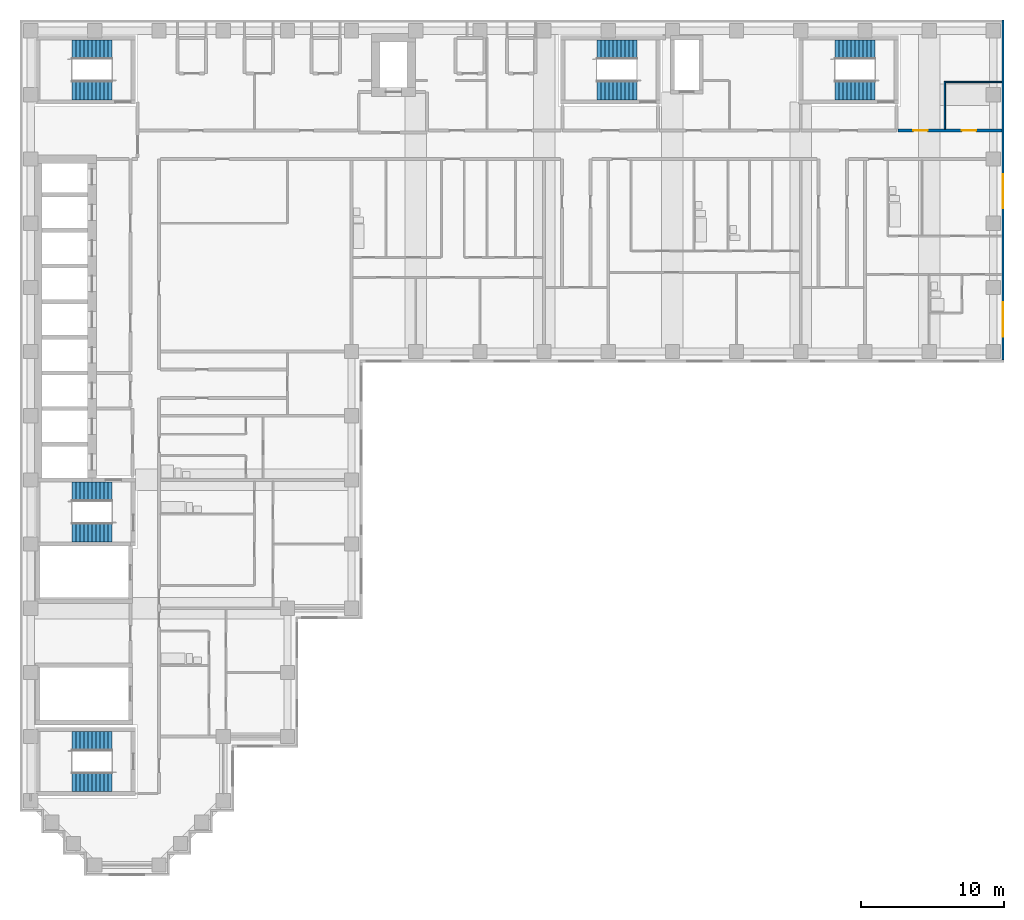
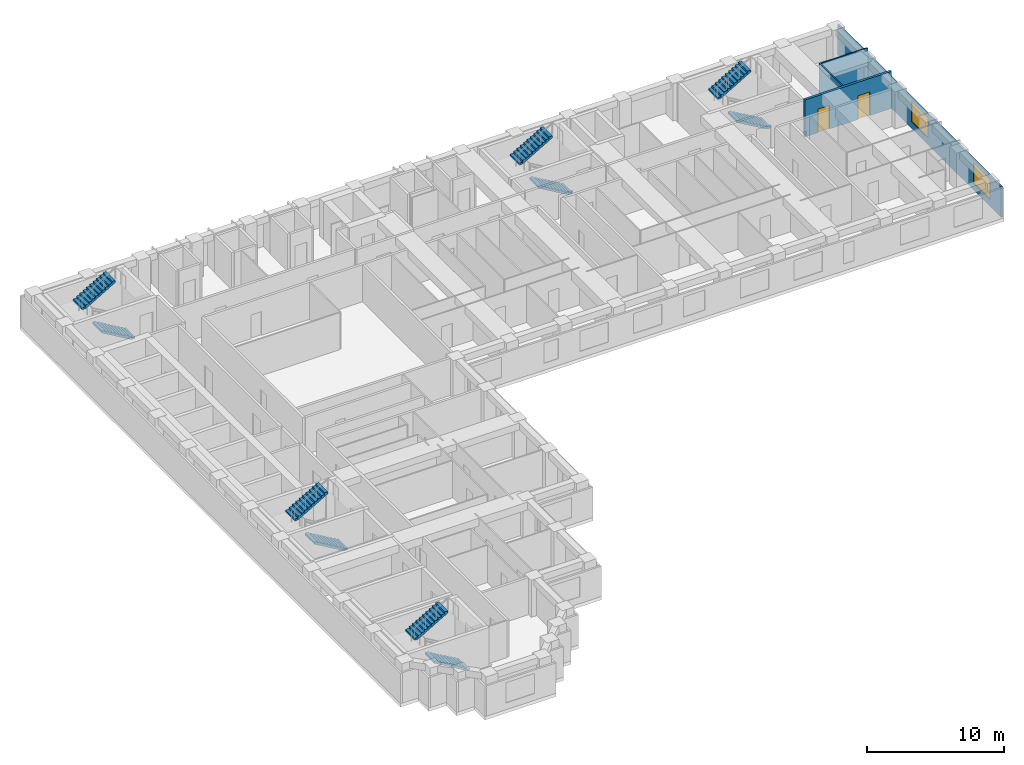
# One storey, part 9 of 11: 10 stair flights, 4 walls, 2 doors, 2 windows, 4 openings, 5 elements without a shape of their own.
"""IFC4 building model written with IfcOpenShell, lengths in metres."""

from ifc_helpers import new_model, si_unit, direction, frame, frame_2d, origin, place, context, subcontext, project, spatial, polyline, rectangle, outline, extrude, material, layer, layer_set, type_object, element, fill, aggregate, save


model = new_model("IFC4")

# Units and contexts
model_context = context("Model", 3, precision=1e-05, world=origin(), true_north=direction((0.0, 1.0)))
body_context = subcontext(model_context, "Body", "Model", "MODEL_VIEW")
ifc_project = project(units=[si_unit("LENGTHUNIT", "METRE"), si_unit("AREAUNIT", "SQUARE_METRE"), si_unit("VOLUMEUNIT", "CUBIC_METRE"), si_unit("PLANEANGLEUNIT", "RADIAN"), si_unit("MASSUNIT", "GRAM", prefix="KILO")], contexts=[model_context])

# Site, building, storey
site_placement = place(None, origin())
site = spatial("IfcSite", under=ifc_project, at=site_placement, CompositionType="ELEMENT")
building_placement = place(site_placement, origin())
building = spatial("IfcBuilding", under=site, at=building_placement, Name="Firuza Court", CompositionType="ELEMENT")
storey_placement = place(building_placement, frame((0.0, 0.0, 130.39990234375)))
storey = spatial("IfcBuildingStorey", under=building, at=storey_placement, Name="L32", CompositionType="ELEMENT", Elevation=130.39990234375)

# Wall, openings, doors
ifc_material_1 = material(Name="Blockwork, plastered both sides", Category="masonry")
ifc_layer_1 = layer(ifc_material_1, 0.199951171875)
ifc_layer_set_1 = layer_set([ifc_layer_1], Name="Blockwork, plastered both sides")
wall_type_1 = type_object("IfcWallType", Name="Corridor wall 200", PredefinedType="PARTITIONING", material=ifc_layer_set_1)
wall_1_placement = place(storey_placement, frame((60.800048828125, 51.5, 0.0), z_axis=(0.0, 0.0, 1.0), x_axis=(1.0, 0.0, 0.0)))
wall_1 = element("IfcWall", 1, at=wall_1_placement, inside=storey, type_object=wall_type_1, Name="Corridor wall 200 L32", PredefinedType="PARTITIONING", context=body_context, shape_type="SweptSolid", body=[
    extrude(rectangle(XDim=7.300048828125, YDim=0.199951171875, at=frame_2d((3.64990234375, 0.0))), origin(), (0.0, 0.0, 1.0), 3.300048828125),
])
opening_1_placement = place(wall_1_placement, frame((1.10009765625, 0.0, 0.0)))
opening_1 = element("IfcOpeningElement", 2, at=opening_1_placement, cuts=wall_1, Name="Opening D32074", PredefinedType="OPENING", context=body_context, shape_type="SweptSolid", body=[
    extrude(rectangle(XDim=1.0, YDim=2.10009765625, at=frame_2d((0.5, 1.050048828125))), frame((0.0, 0.11181640625, 0.0), z_axis=(0.0, -1.0, 0.0), x_axis=(1.0, 0.0, 0.0)), (0.0, 0.0, 1.0), 0.223876953125),
])
opening_2_placement = place(wall_1_placement, frame((4.5, 0.0, 0.0)))
opening_2 = element("IfcOpeningElement", 3, at=opening_2_placement, cuts=wall_1, Name="Opening D32075", PredefinedType="OPENING", context=body_context, shape_type="SweptSolid", body=[
    extrude(rectangle(XDim=1.0, YDim=2.10009765625, at=frame_2d((0.5, 1.050048828125))), frame((0.0, 0.11181640625, 0.0), z_axis=(0.0, -1.0, 0.0), x_axis=(1.0, 0.0, 0.0)), (0.0, 0.0, 1.0), 0.223876953125),
])
ifc_material_2 = material(Name="Timber door leaf in hardwood frame", Category="wood")
door_type = type_object("IfcDoorType", Name="Store door 1000", OperationType="SINGLE_SWING_LEFT", PredefinedType="DOOR", material=ifc_material_2)
door_1_placement = place(opening_1_placement, origin())
door_1 = element("IfcDoor", 4, at=door_1_placement, inside=storey, type_object=door_type, Name="Comms room door", OperationType="SINGLE_SWING_LEFT", OverallHeight=2.10009765625, OverallWidth=1.0, PredefinedType="DOOR", context=body_context, shape_type="SweptSolid", body=[
    extrude(rectangle(XDim=1.0, YDim=2.10009765625, at=frame_2d((0.5, 1.050048828125))), frame((0.0, 0.02490234375, 0.0), z_axis=(0.0, -1.0, 0.0), x_axis=(1.0, 0.0, 0.0)), (0.0, 0.0, 1.0), 0.050048828125),
])
fill(opening_1, door_1)
door_2_placement = place(opening_2_placement, origin())
door_2 = element("IfcDoor", 5, at=door_2_placement, inside=storey, type_object=door_type, Name="Cleaner's store door", OperationType="SINGLE_SWING_LEFT", OverallHeight=2.10009765625, OverallWidth=1.0, PredefinedType="DOOR", context=body_context, shape_type="SweptSolid", body=[
    extrude(rectangle(XDim=1.0, YDim=2.10009765625, at=frame_2d((0.5, 1.050048828125))), frame((0.0, 0.02490234375, 0.0), z_axis=(0.0, -1.0, 0.0), x_axis=(1.0, 0.0, 0.0)), (0.0, 0.0, 1.0), 0.050048828125),
])
fill(opening_2, door_2)

# Walls
ifc_material_3 = material(Name="Timber stud partition, plasterboard both sides", Category="wood")
ifc_layer_2 = layer(ifc_material_3, 0.10009765625)
ifc_layer_set_2 = layer_set([ifc_layer_2], Name="Timber stud partition, plasterboard both sides")
wall_type_2 = type_object("IfcWallType", Name="Partition wall 100", PredefinedType="PARTITIONING", material=ifc_layer_set_2)
wall_2_placement = place(storey_placement, frame((64.10009765625, 51.60009765625, 0.0), z_axis=(0.0, 0.0, 1.0), x_axis=(0.0, 1.0, 0.0)))
element("IfcWall", 6, at=wall_2_placement, inside=storey, type_object=wall_type_2, Name="Partition wall 100 L32", PredefinedType="PARTITIONING", context=body_context, shape_type="SweptSolid", body=[
    extrude(rectangle(XDim=3.349853515625, YDim=0.10009765625, at=frame_2d((1.6748046875, 0.0))), origin(), (0.0, 0.0, 1.0), 3.300048828125),
])
wall_3_placement = place(storey_placement, frame((64.14990234375, 54.89990234375, 0.0), z_axis=(0.0, 0.0, 1.0), x_axis=(1.0, 0.0, 0.0)))
element("IfcWall", 7, at=wall_3_placement, inside=storey, type_object=wall_type_2, Name="Partition wall 100 L32", PredefinedType="PARTITIONING", context=body_context, shape_type="SweptSolid", body=[
    extrude(rectangle(XDim=3.9501953125, YDim=0.10009765625, at=frame_2d((1.97509765625, 0.0))), origin(), (0.0, 0.0, 1.0), 3.300048828125),
])

# Wall, openings, windows
ifc_material_4 = material(Name="Ceramic tile", Category="ceramic")
ifc_layer_3 = layer(ifc_material_4, 0.02001953125)
ifc_material_5 = material(Name="Mineral wool insulation", Category="insulation")
ifc_layer_4 = layer(ifc_material_5, 0.050048828125)
ifc_material_6 = material(Name="Concrete C40/50 precast", Category="concrete")
ifc_layer_5 = layer(ifc_material_6, 0.080078125)
ifc_layer_set_3 = layer_set([ifc_layer_3, ifc_layer_4, ifc_layer_5], Name="Concrete C40/50 precast")
wall_type_3 = type_object("IfcWallType", Name="Precast cladding wall with turquoise TILE PANEL face 150", PredefinedType="STANDARD", material=ifc_layer_set_3)
wall_4_placement = place(storey_placement, frame((68.175048828125, 35.39990234375, 0.0), z_axis=(0.0, 0.0, 1.0), x_axis=(0.0, 1.0, 0.0)))
wall_4 = element("IfcWall", 8, at=wall_4_placement, inside=storey, type_object=wall_type_3, Name="Facade wall L32 E", PredefinedType="STANDARD", context=body_context, shape_type="SweptSolid", body=[
    extrude(rectangle(XDim=23.85009765625, YDim=0.14990234375, at=frame_2d((11.925048828125, 0.0))), origin(), (0.0, 0.0, 1.0), 2.7001953125),
])
opening_3_placement = place(wall_4_placement, frame((1.64990234375, 0.0, 0.60009765625)))
opening_3 = element("IfcOpeningElement", 9, at=opening_3_placement, cuts=wall_4, Name="Opening W1", PredefinedType="OPENING", context=body_context, shape_type="SweptSolid", body=[
    extrude(rectangle(XDim=2.39990234375, YDim=1.800048828125, at=frame_2d((1.199951171875, 0.89990234375))), frame((0.0, 0.0869140625, 0.0), z_axis=(0.0, -1.0, 0.0), x_axis=(1.0, 0.0, 0.0)), (0.0, 0.0, 1.0), 0.173828125),
])
opening_4_placement = place(wall_4_placement, frame((10.64990234375, 0.0, 0.60009765625)))
opening_4 = element("IfcOpeningElement", 10, at=opening_4_placement, cuts=wall_4, Name="Opening W1", PredefinedType="OPENING", context=body_context, shape_type="SweptSolid", body=[
    extrude(rectangle(XDim=2.39990234375, YDim=1.800048828125, at=frame_2d((1.199951171875, 0.89990234375))), frame((0.0, 0.0869140625, 0.0), z_axis=(0.0, -1.0, 0.0), x_axis=(1.0, 0.0, 0.0)), (0.0, 0.0, 1.0), 0.173828125),
])
ifc_material_7 = material(Name="Aluminium frame, triple clear glazing", Category="aluminium")
window_type = type_object("IfcWindowType", Name="Window W1 2400 x 1800", PartitioningType="SINGLE_PANEL", PredefinedType="WINDOW", material=ifc_material_7)
window_1_placement = place(opening_3_placement, origin())
window_1 = element("IfcWindow", 11, at=window_1_placement, inside=storey, type_object=window_type, Name="Window L32", OverallHeight=1.800048828125, OverallWidth=2.39990234375, PartitioningType="SINGLE_PANEL", PredefinedType="WINDOW", context=body_context, shape_type="SweptSolid", body=[
    extrude(rectangle(XDim=2.39990234375, YDim=1.800048828125, at=frame_2d((1.199951171875, 0.89990234375))), frame((0.0, 0.030029296875, 0.0), z_axis=(0.0, -1.0, 0.0), x_axis=(1.0, 0.0, 0.0)), (0.0, 0.0, 1.0), 0.06005859375),
])
fill(opening_3, window_1)
window_2_placement = place(opening_4_placement, origin())
window_2 = element("IfcWindow", 12, at=window_2_placement, inside=storey, type_object=window_type, Name="Window L32", OverallHeight=1.800048828125, OverallWidth=2.39990234375, PartitioningType="SINGLE_PANEL", PredefinedType="WINDOW", context=body_context, shape_type="SweptSolid", body=[
    extrude(rectangle(XDim=2.39990234375, YDim=1.800048828125, at=frame_2d((1.199951171875, 0.89990234375))), frame((0.0, 0.030029296875, 0.0), z_axis=(0.0, -1.0, 0.0), x_axis=(1.0, 0.0, 0.0)), (0.0, 0.0, 1.0), 0.06005859375),
])
fill(opening_4, window_2)

# Stair, stair flights
ifc_material_8 = material(Name="Concrete C40/50 precast", Category="concrete")
stair_type = type_object("IfcStairType", Name="Stair 1350 x 3600 2 flights", PredefinedType="HALF_TURN_STAIR", material=ifc_material_8)
stair_1_placement = place(storey_placement, origin())
stair_1 = element("IfcStair", 13, at=stair_1_placement, inside=storey, type_object=stair_type, Name="Stair 1 L32", PredefinedType="HALF_TURN_STAIR")
ifc_material_9 = material(Name="Concrete C40/50 precast", Category="concrete")
stair_flight_type = type_object("IfcStairFlightType", Name="Flight 1350 riser 163.6", PredefinedType="STRAIGHT", material=ifc_material_9)
stair_flight_1_placement = place(storey_placement, frame((42.5, 54.324951171875, 0.0), z_axis=(0.0, 0.0, 1.0), x_axis=(-1.0, 0.0, 0.0)))
stair_flight_1 = element("IfcStairFlight", 14, at=stair_flight_1_placement, type_object=stair_flight_type, Name="S1 flight 1", NumberOfRisers=11, NumberOfTreads=10, PredefinedType="STRAIGHT", RiserHeight=0.163636364, TreadLength=0.28, context=body_context, shape_type="SweptSolid", body=[
    extrude(outline(polyline([(0.0, 0.0), (0.0, 0.16357421875), (0.280029296875, 0.16357421875), (0.280029296875, 0.327392578125), (0.56005859375, 0.327392578125), (0.56005859375, 0.490966796875), (0.840087890625, 0.490966796875), (0.840087890625, 0.654541015625), (1.1201171875, 0.654541015625), (1.1201171875, 0.818115234375), (1.39990234375, 0.818115234375), (1.39990234375, 0.98193359375), (1.679931640625, 0.98193359375), (1.679931640625, 1.1455078125), (1.9599609375, 1.1455078125), (1.9599609375, 1.30908203125), (2.239990234375, 1.30908203125), (2.239990234375, 1.47265625), (2.52001953125, 1.47265625), (2.52001953125, 1.636474609375), (2.800048828125, 1.636474609375), (2.800048828125, 1.800048828125), (2.800048828125, 1.462646484375), (0.297119140625, 0.0), (0.0, 0.0)])), frame((0.0, 0.675048828125, 0.0), z_axis=(0.0, -1.0, 0.0), x_axis=(1.0, 0.0, 0.0)), (0.0, 0.0, 1.0), 1.35009765625),
])
stair_flight_2_placement = place(storey_placement, frame((39.699951171875, 57.175048828125, 1.800048828125), z_axis=(0.0, 0.0, 1.0), x_axis=(1.0, 0.0, 0.0)))
stair_flight_2 = element("IfcStairFlight", 15, at=stair_flight_2_placement, type_object=stair_flight_type, Name="S1 flight 2", NumberOfRisers=11, NumberOfTreads=10, PredefinedType="STRAIGHT", RiserHeight=0.163636364, TreadLength=0.28, context=body_context, shape_type="SweptSolid", body=[
    extrude(outline(polyline([(0.0, 0.0), (0.0, 0.16357421875), (0.280029296875, 0.16357421875), (0.280029296875, 0.327392578125), (0.56005859375, 0.327392578125), (0.56005859375, 0.490966796875), (0.840087890625, 0.490966796875), (0.840087890625, 0.654541015625), (1.1201171875, 0.654541015625), (1.1201171875, 0.818115234375), (1.39990234375, 0.818115234375), (1.39990234375, 0.98193359375), (1.679931640625, 0.98193359375), (1.679931640625, 1.1455078125), (1.9599609375, 1.1455078125), (1.9599609375, 1.30908203125), (2.239990234375, 1.30908203125), (2.239990234375, 1.47265625), (2.52001953125, 1.47265625), (2.52001953125, 1.636474609375), (2.800048828125, 1.636474609375), (2.800048828125, 1.800048828125), (2.800048828125, 1.462646484375), (0.297119140625, 0.0), (0.0, 0.0)])), frame((0.0, 0.675048828125, 0.0), z_axis=(0.0, -1.0, 0.0), x_axis=(1.0, 0.0, 0.0)), (0.0, 0.0, 1.0), 1.35009765625),
])
aggregate(stair_1, [stair_flight_1, stair_flight_2])

stair_2_placement = place(storey_placement, origin())
stair_2 = element("IfcStair", 16, at=stair_2_placement, inside=storey, type_object=stair_type, Name="Stair 2 L32", PredefinedType="HALF_TURN_STAIR")
stair_flight_3_placement = place(storey_placement, frame((5.699951171875, 23.324951171875, 0.0), z_axis=(0.0, 0.0, 1.0), x_axis=(-1.0, 0.0, 0.0)))
stair_flight_3 = element("IfcStairFlight", 17, at=stair_flight_3_placement, type_object=stair_flight_type, Name="S2 flight 1", NumberOfRisers=11, NumberOfTreads=10, PredefinedType="STRAIGHT", RiserHeight=0.163636364, TreadLength=0.28, context=body_context, shape_type="SweptSolid", body=[
    extrude(outline(polyline([(0.0, 0.0), (0.0, 0.16357421875), (0.280029296875, 0.16357421875), (0.280029296875, 0.327392578125), (0.56005859375, 0.327392578125), (0.56005859375, 0.490966796875), (0.840087890625, 0.490966796875), (0.840087890625, 0.654541015625), (1.1201171875, 0.654541015625), (1.1201171875, 0.818115234375), (1.39990234375, 0.818115234375), (1.39990234375, 0.98193359375), (1.679931640625, 0.98193359375), (1.679931640625, 1.1455078125), (1.9599609375, 1.1455078125), (1.9599609375, 1.30908203125), (2.239990234375, 1.30908203125), (2.239990234375, 1.47265625), (2.52001953125, 1.47265625), (2.52001953125, 1.636474609375), (2.800048828125, 1.636474609375), (2.800048828125, 1.800048828125), (2.800048828125, 1.462646484375), (0.297119140625, 0.0), (0.0, 0.0)])), frame((0.0, 0.675048828125, 0.0), z_axis=(0.0, -1.0, 0.0), x_axis=(1.0, 0.0, 0.0)), (0.0, 0.0, 1.0), 1.35009765625),
])
stair_flight_4_placement = place(storey_placement, frame((2.89990234375, 26.175048828125, 1.800048828125), z_axis=(0.0, 0.0, 1.0), x_axis=(1.0, 0.0, 0.0)))
stair_flight_4 = element("IfcStairFlight", 18, at=stair_flight_4_placement, type_object=stair_flight_type, Name="S2 flight 2", NumberOfRisers=11, NumberOfTreads=10, PredefinedType="STRAIGHT", RiserHeight=0.163636364, TreadLength=0.28, context=body_context, shape_type="SweptSolid", body=[
    extrude(outline(polyline([(0.0, 0.0), (0.0, 0.16357421875), (0.280029296875, 0.16357421875), (0.280029296875, 0.327392578125), (0.56005859375, 0.327392578125), (0.56005859375, 0.490966796875), (0.840087890625, 0.490966796875), (0.840087890625, 0.654541015625), (1.1201171875, 0.654541015625), (1.1201171875, 0.818115234375), (1.39990234375, 0.818115234375), (1.39990234375, 0.98193359375), (1.679931640625, 0.98193359375), (1.679931640625, 1.1455078125), (1.9599609375, 1.1455078125), (1.9599609375, 1.30908203125), (2.239990234375, 1.30908203125), (2.239990234375, 1.47265625), (2.52001953125, 1.47265625), (2.52001953125, 1.636474609375), (2.800048828125, 1.636474609375), (2.800048828125, 1.800048828125), (2.800048828125, 1.462646484375), (0.297119140625, 0.0), (0.0, 0.0)])), frame((0.0, 0.675048828125, 0.0), z_axis=(0.0, -1.0, 0.0), x_axis=(1.0, 0.0, 0.0)), (0.0, 0.0, 1.0), 1.35009765625),
])
aggregate(stair_2, [stair_flight_3, stair_flight_4])

stair_3_placement = place(storey_placement, origin())
stair_3 = element("IfcStair", 19, at=stair_3_placement, inside=storey, type_object=stair_type, Name="Stair 3 L32", PredefinedType="HALF_TURN_STAIR")
stair_flight_5_placement = place(storey_placement, frame((5.699951171875, 54.324951171875, 0.0), z_axis=(0.0, 0.0, 1.0), x_axis=(-1.0, 0.0, 0.0)))
stair_flight_5 = element("IfcStairFlight", 20, at=stair_flight_5_placement, type_object=stair_flight_type, Name="S3 flight 1", NumberOfRisers=11, NumberOfTreads=10, PredefinedType="STRAIGHT", RiserHeight=0.163636364, TreadLength=0.28, context=body_context, shape_type="SweptSolid", body=[
    extrude(outline(polyline([(0.0, 0.0), (0.0, 0.16357421875), (0.280029296875, 0.16357421875), (0.280029296875, 0.327392578125), (0.56005859375, 0.327392578125), (0.56005859375, 0.490966796875), (0.840087890625, 0.490966796875), (0.840087890625, 0.654541015625), (1.1201171875, 0.654541015625), (1.1201171875, 0.818115234375), (1.39990234375, 0.818115234375), (1.39990234375, 0.98193359375), (1.679931640625, 0.98193359375), (1.679931640625, 1.1455078125), (1.9599609375, 1.1455078125), (1.9599609375, 1.30908203125), (2.239990234375, 1.30908203125), (2.239990234375, 1.47265625), (2.52001953125, 1.47265625), (2.52001953125, 1.636474609375), (2.800048828125, 1.636474609375), (2.800048828125, 1.800048828125), (2.800048828125, 1.462646484375), (0.297119140625, 0.0), (0.0, 0.0)])), frame((0.0, 0.675048828125, 0.0), z_axis=(0.0, -1.0, 0.0), x_axis=(1.0, 0.0, 0.0)), (0.0, 0.0, 1.0), 1.35009765625),
])
stair_flight_6_placement = place(storey_placement, frame((2.89990234375, 57.175048828125, 1.800048828125), z_axis=(0.0, 0.0, 1.0), x_axis=(1.0, 0.0, 0.0)))
stair_flight_6 = element("IfcStairFlight", 21, at=stair_flight_6_placement, type_object=stair_flight_type, Name="S3 flight 2", NumberOfRisers=11, NumberOfTreads=10, PredefinedType="STRAIGHT", RiserHeight=0.163636364, TreadLength=0.28, context=body_context, shape_type="SweptSolid", body=[
    extrude(outline(polyline([(0.0, 0.0), (0.0, 0.16357421875), (0.280029296875, 0.16357421875), (0.280029296875, 0.327392578125), (0.56005859375, 0.327392578125), (0.56005859375, 0.490966796875), (0.840087890625, 0.490966796875), (0.840087890625, 0.654541015625), (1.1201171875, 0.654541015625), (1.1201171875, 0.818115234375), (1.39990234375, 0.818115234375), (1.39990234375, 0.98193359375), (1.679931640625, 0.98193359375), (1.679931640625, 1.1455078125), (1.9599609375, 1.1455078125), (1.9599609375, 1.30908203125), (2.239990234375, 1.30908203125), (2.239990234375, 1.47265625), (2.52001953125, 1.47265625), (2.52001953125, 1.636474609375), (2.800048828125, 1.636474609375), (2.800048828125, 1.800048828125), (2.800048828125, 1.462646484375), (0.297119140625, 0.0), (0.0, 0.0)])), frame((0.0, 0.675048828125, 0.0), z_axis=(0.0, -1.0, 0.0), x_axis=(1.0, 0.0, 0.0)), (0.0, 0.0, 1.0), 1.35009765625),
])
aggregate(stair_3, [stair_flight_5, stair_flight_6])

stair_4_placement = place(storey_placement, origin())
stair_4 = element("IfcStair", 22, at=stair_4_placement, inside=storey, type_object=stair_type, Name="Stair 4 L32", PredefinedType="HALF_TURN_STAIR")
stair_flight_7_placement = place(storey_placement, frame((59.199951171875, 54.324951171875, 0.0), z_axis=(0.0, 0.0, 1.0), x_axis=(-1.0, 0.0, 0.0)))
stair_flight_7 = element("IfcStairFlight", 23, at=stair_flight_7_placement, type_object=stair_flight_type, Name="S4 flight 1", NumberOfRisers=11, NumberOfTreads=10, PredefinedType="STRAIGHT", RiserHeight=0.163636364, TreadLength=0.28, context=body_context, shape_type="SweptSolid", body=[
    extrude(outline(polyline([(0.0, 0.0), (0.0, 0.16357421875), (0.280029296875, 0.16357421875), (0.280029296875, 0.327392578125), (0.56005859375, 0.327392578125), (0.56005859375, 0.490966796875), (0.840087890625, 0.490966796875), (0.840087890625, 0.654541015625), (1.1201171875, 0.654541015625), (1.1201171875, 0.818115234375), (1.39990234375, 0.818115234375), (1.39990234375, 0.98193359375), (1.679931640625, 0.98193359375), (1.679931640625, 1.1455078125), (1.9599609375, 1.1455078125), (1.9599609375, 1.30908203125), (2.239990234375, 1.30908203125), (2.239990234375, 1.47265625), (2.52001953125, 1.47265625), (2.52001953125, 1.636474609375), (2.800048828125, 1.636474609375), (2.800048828125, 1.800048828125), (2.800048828125, 1.462646484375), (0.297119140625, 0.0), (0.0, 0.0)])), frame((0.0, 0.675048828125, 0.0), z_axis=(0.0, -1.0, 0.0), x_axis=(1.0, 0.0, 0.0)), (0.0, 0.0, 1.0), 1.35009765625),
])
stair_flight_8_placement = place(storey_placement, frame((56.39990234375, 57.175048828125, 1.800048828125), z_axis=(0.0, 0.0, 1.0), x_axis=(1.0, 0.0, 0.0)))
stair_flight_8 = element("IfcStairFlight", 24, at=stair_flight_8_placement, type_object=stair_flight_type, Name="S4 flight 2", NumberOfRisers=11, NumberOfTreads=10, PredefinedType="STRAIGHT", RiserHeight=0.163636364, TreadLength=0.28, context=body_context, shape_type="SweptSolid", body=[
    extrude(outline(polyline([(0.0, 0.0), (0.0, 0.16357421875), (0.280029296875, 0.16357421875), (0.280029296875, 0.327392578125), (0.56005859375, 0.327392578125), (0.56005859375, 0.490966796875), (0.840087890625, 0.490966796875), (0.840087890625, 0.654541015625), (1.1201171875, 0.654541015625), (1.1201171875, 0.818115234375), (1.39990234375, 0.818115234375), (1.39990234375, 0.98193359375), (1.679931640625, 0.98193359375), (1.679931640625, 1.1455078125), (1.9599609375, 1.1455078125), (1.9599609375, 1.30908203125), (2.239990234375, 1.30908203125), (2.239990234375, 1.47265625), (2.52001953125, 1.47265625), (2.52001953125, 1.636474609375), (2.800048828125, 1.636474609375), (2.800048828125, 1.800048828125), (2.800048828125, 1.462646484375), (0.297119140625, 0.0), (0.0, 0.0)])), frame((0.0, 0.675048828125, 0.0), z_axis=(0.0, -1.0, 0.0), x_axis=(1.0, 0.0, 0.0)), (0.0, 0.0, 1.0), 1.35009765625),
])
aggregate(stair_4, [stair_flight_7, stair_flight_8])

stair_5_placement = place(storey_placement, origin())
stair_5 = element("IfcStair", 25, at=stair_5_placement, inside=storey, type_object=stair_type, Name="Stair 5 L32", PredefinedType="HALF_TURN_STAIR")
stair_flight_9_placement = place(storey_placement, frame((5.699951171875, 5.824951171875, 0.0), z_axis=(0.0, 0.0, 1.0), x_axis=(-1.0, 0.0, 0.0)))
stair_flight_9 = element("IfcStairFlight", 26, at=stair_flight_9_placement, type_object=stair_flight_type, Name="S5 flight 1", NumberOfRisers=11, NumberOfTreads=10, PredefinedType="STRAIGHT", RiserHeight=0.163636364, TreadLength=0.28, context=body_context, shape_type="SweptSolid", body=[
    extrude(outline(polyline([(0.0, 0.0), (0.0, 0.16357421875), (0.280029296875, 0.16357421875), (0.280029296875, 0.327392578125), (0.56005859375, 0.327392578125), (0.56005859375, 0.490966796875), (0.840087890625, 0.490966796875), (0.840087890625, 0.654541015625), (1.1201171875, 0.654541015625), (1.1201171875, 0.818115234375), (1.39990234375, 0.818115234375), (1.39990234375, 0.98193359375), (1.679931640625, 0.98193359375), (1.679931640625, 1.1455078125), (1.9599609375, 1.1455078125), (1.9599609375, 1.30908203125), (2.239990234375, 1.30908203125), (2.239990234375, 1.47265625), (2.52001953125, 1.47265625), (2.52001953125, 1.636474609375), (2.800048828125, 1.636474609375), (2.800048828125, 1.800048828125), (2.800048828125, 1.462646484375), (0.297119140625, 0.0), (0.0, 0.0)])), frame((0.0, 0.675048828125, 0.0), z_axis=(0.0, -1.0, 0.0), x_axis=(1.0, 0.0, 0.0)), (0.0, 0.0, 1.0), 1.35009765625),
])
stair_flight_10_placement = place(storey_placement, frame((2.89990234375, 8.675048828125, 1.800048828125), z_axis=(0.0, 0.0, 1.0), x_axis=(1.0, 0.0, 0.0)))
stair_flight_10 = element("IfcStairFlight", 27, at=stair_flight_10_placement, type_object=stair_flight_type, Name="S5 flight 2", NumberOfRisers=11, NumberOfTreads=10, PredefinedType="STRAIGHT", RiserHeight=0.163636364, TreadLength=0.28, context=body_context, shape_type="SweptSolid", body=[
    extrude(outline(polyline([(0.0, 0.0), (0.0, 0.16357421875), (0.280029296875, 0.16357421875), (0.280029296875, 0.327392578125), (0.56005859375, 0.327392578125), (0.56005859375, 0.490966796875), (0.840087890625, 0.490966796875), (0.840087890625, 0.654541015625), (1.1201171875, 0.654541015625), (1.1201171875, 0.818115234375), (1.39990234375, 0.818115234375), (1.39990234375, 0.98193359375), (1.679931640625, 0.98193359375), (1.679931640625, 1.1455078125), (1.9599609375, 1.1455078125), (1.9599609375, 1.30908203125), (2.239990234375, 1.30908203125), (2.239990234375, 1.47265625), (2.52001953125, 1.47265625), (2.52001953125, 1.636474609375), (2.800048828125, 1.636474609375), (2.800048828125, 1.800048828125), (2.800048828125, 1.462646484375), (0.297119140625, 0.0), (0.0, 0.0)])), frame((0.0, 0.675048828125, 0.0), z_axis=(0.0, -1.0, 0.0), x_axis=(1.0, 0.0, 0.0)), (0.0, 0.0, 1.0), 1.35009765625),
])
aggregate(stair_5, [stair_flight_9, stair_flight_10])

save(model, "model.ifc")
